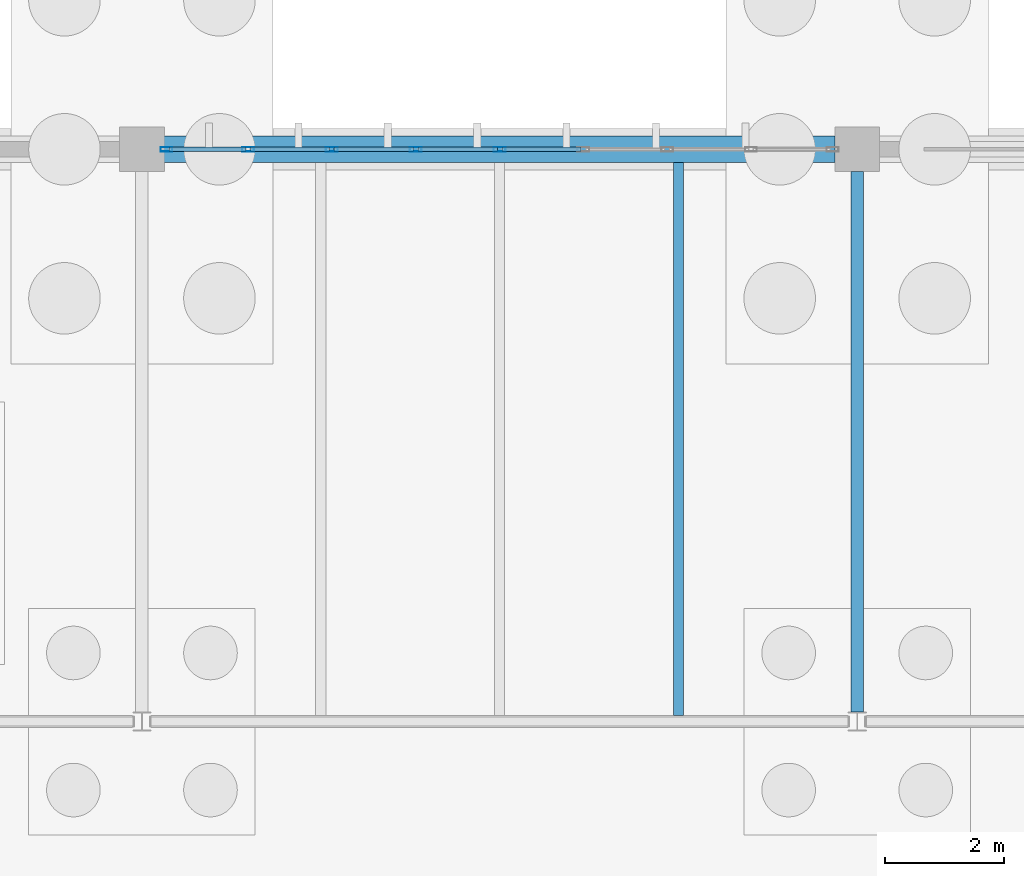
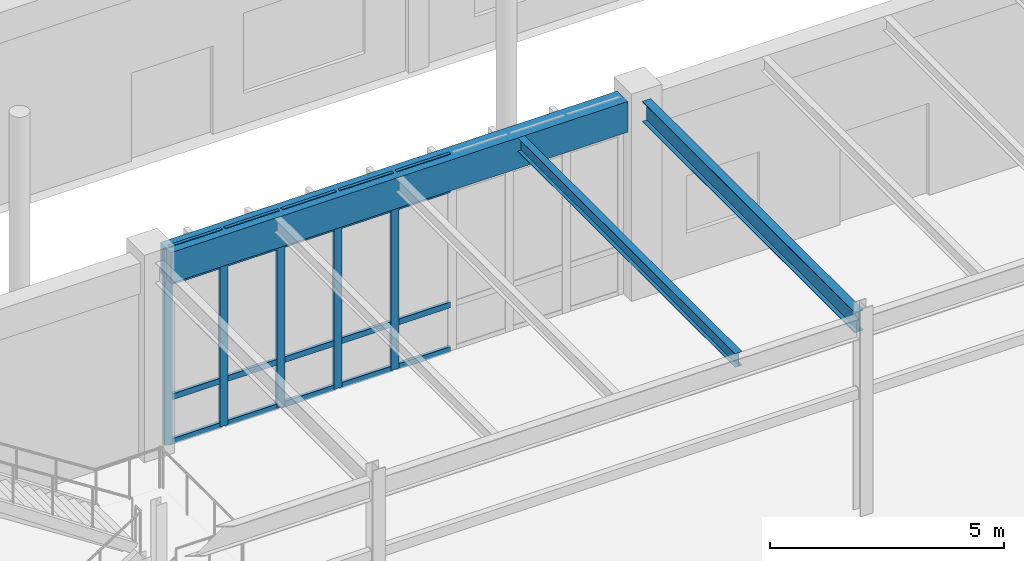
# One storey, part 79 of 188: 25 members, 3 beams, 1 element without a shape of its own.
"""IFC4 building model written with IfcOpenShell, lengths in metres."""

import ifcopenshell
import ifcopenshell.guid

model = None  # the IFC model being written
_history = None  # IfcOwnerHistory: only IFC2X3 demands one
_inside = {}  # id of a spatial element -> (the spatial element, [elements in it])
_under = {}  # id of a project, library or spatial element -> (it, [spatial elements below it])
_declared = {}  # id of a project -> (the project, [libraries it declares])
_typed = {}  # id of a type object -> (the type object, [elements of that type])
_made_of = {}  # id of a material, layer set ... -> (it, [elements and type objects made of it])


def new_model(schema):
    """Start an empty IFC model of exactly this schema.

    Asked for "IFC4X3", IfcOpenShell would pick the latest addendum, in which some entities
    have other attributes; the version numbers below select the first issue.
    IFC2X3 requires an IfcOwnerHistory on every rooted entity: one is made here for all.
    """
    global model, _history
    if schema == "IFC4X3":
        model = ifcopenshell.file(schema_version=(4, 3, 0, 0))
    else:
        model = ifcopenshell.file(schema=schema)
    _inside.clear()
    _under.clear()
    _declared.clear()
    _typed.clear()
    _made_of.clear()
    _history = None
    if model.schema == "IFC2X3":
        org = make("IfcOrganization", Name="unknown")
        user = make(
            "IfcPersonAndOrganization",
            ThePerson=make("IfcPerson", FamilyName="unknown"),
            TheOrganization=org,
        )
        app = make(
            "IfcApplication",
            ApplicationDeveloper=org,
            Version="unknown",
            ApplicationFullName="unknown",
            ApplicationIdentifier="unknown",
        )
        _history = make(
            "IfcOwnerHistory",
            OwningUser=user,
            OwningApplication=app,
            ChangeAction="ADDED",
            CreationDate=0,
        )
    return model


def make(cls, **values):
    """One entity of the class cls with the attributes given. An attribute that is None is left unset."""
    return model.create_entity(
        cls, **{name: value for name, value in values.items() if value is not None}
    )


def rooted(cls, **values):
    """An entity with a GlobalId (a new one), such as an element, a storey or a relation."""
    return make(cls, GlobalId=ifcopenshell.guid.new(), OwnerHistory=_history, **values)


def si_unit(unit_type, name, prefix=None):
    """IfcSIUnit, for example si_unit("LENGTHUNIT", "METRE", prefix="MILLI")."""
    return make("IfcSIUnit", UnitType=unit_type, Prefix=prefix, Name=name)


def assignment(units):
    """IfcUnitAssignment: the units of a project."""
    return None if units is None else make("IfcUnitAssignment", Units=units)


def point(xyz):
    """IfcCartesianPoint."""
    return None if xyz is None else make("IfcCartesianPoint", Coordinates=xyz)


def direction(xyz):
    """IfcDirection."""
    return None if xyz is None else make("IfcDirection", DirectionRatios=xyz)


def frame(location, z_axis=None, x_axis=None):
    """IfcAxis2Placement3D, a coordinate frame: its origin and axes. An axis left out is left unset."""
    return make(
        "IfcAxis2Placement3D",
        Location=point(location),
        Axis=direction(z_axis),
        RefDirection=direction(x_axis),
    )


def frame_2d(location, x_axis=None):
    """IfcAxis2Placement2D, a coordinate frame in the plane: its origin and x axis."""
    return make(
        "IfcAxis2Placement2D", Location=point(location), RefDirection=direction(x_axis)
    )


def origin():
    """The frame at (0, 0, 0) with its axes left unset."""
    return frame((0.0, 0.0, 0.0))


def origin_2d():
    """The frame at (0, 0) in the plane with its x axis left unset."""
    return frame_2d((0.0, 0.0))


def place(relative_to, where):
    """IfcLocalPlacement: puts the frame where relative to a parent placement (None: the world)."""
    return make(
        "IfcLocalPlacement", PlacementRelTo=relative_to, RelativePlacement=where
    )


def context(
    kind, dimensions, precision=None, world=None, true_north=None, identifier=None
):
    """IfcGeometricRepresentationContext, for example the 3D "Model" context."""
    return make(
        "IfcGeometricRepresentationContext",
        ContextIdentifier=identifier,
        ContextType=kind,
        CoordinateSpaceDimension=dimensions,
        Precision=precision,
        WorldCoordinateSystem=world,
        TrueNorth=true_north,
    )


def subcontext(parent, identifier, kind, view, scale=None):
    """IfcGeometricRepresentationSubContext, for example "Body" below "Model"."""
    return make(
        "IfcGeometricRepresentationSubContext",
        ContextIdentifier=identifier,
        ContextType=kind,
        ParentContext=parent,
        TargetScale=scale,
        TargetView=view,
    )


def project(units=None, contexts=None):
    """IfcProject with its units and contexts."""
    return rooted(
        "IfcProject",
        Name="project",
        RepresentationContexts=contexts,
        UnitsInContext=assignment(units),
    )


def spatial(cls, under=None, at=None, **own):
    """A site, building, storey or space (cls), placed at a placement, below another one or the project."""
    s = rooted(cls, ObjectPlacement=at, **own)
    if under is not None:
        _under.setdefault(under.id(), (under, []))[1].append(s)
    return s


def profile(cls, at=None, kind="AREA", **sizes):
    """A parametric profile (cls). Its sizes go by their IFC names, for example OverallWidth=200.0."""
    return make(cls, ProfileType=kind, Position=at, **sizes)


def rectangle(**sizes):
    """IfcRectangleProfileDef."""
    return profile("IfcRectangleProfileDef", **sizes)


def hollow_rectangle(**sizes):
    """IfcRectangleHollowProfileDef."""
    return profile("IfcRectangleHollowProfileDef", **sizes)


def i_section(**sizes):
    """IfcIShapeProfileDef."""
    return profile("IfcIShapeProfileDef", **sizes)


def extrude(swept, where, along, depth):
    """IfcExtrudedAreaSolid: the profile swept, set in the frame where, extruded along a direction by depth."""
    return make(
        "IfcExtrudedAreaSolid",
        SweptArea=swept,
        Position=where,
        ExtrudedDirection=direction(along),
        Depth=depth,
    )


def shape(context_of_items, identifier, shape_type, items):
    """IfcShapeRepresentation: the items that make up one representation, for example the "Body"."""
    return make(
        "IfcShapeRepresentation",
        ContextOfItems=context_of_items,
        RepresentationIdentifier=identifier,
        RepresentationType=shape_type,
        Items=items,
    )


def material(Name=None, Category=None):
    """IfcMaterial."""
    return make("IfcMaterial", Name=Name, Category=Category)


def layer(
    of_material, thickness, ventilated=None, Name=None, Category=None, Priority=None
):
    """IfcMaterialLayer: one layer of a wall or slab, of a material (None: an air gap)."""
    return make(
        "IfcMaterialLayer",
        Material=of_material,
        LayerThickness=thickness,
        IsVentilated=ventilated,
        Name=Name,
        Category=Category,
        Priority=Priority,
    )


def layer_set(layers, Name=None):
    """IfcMaterialLayerSet."""
    return make("IfcMaterialLayerSet", MaterialLayers=layers, LayerSetName=Name)


def material_profile(
    of_material, cross_section, Name=None, Category=None, Priority=None
):
    """IfcMaterialProfile: a cross section and its material."""
    return make(
        "IfcMaterialProfile",
        Name=Name,
        Material=of_material,
        Profile=cross_section,
        Priority=Priority,
        Category=Category,
    )


def profile_set(profiles, Name=None, composite=None):
    """IfcMaterialProfileSet."""
    return make(
        "IfcMaterialProfileSet",
        Name=Name,
        MaterialProfiles=profiles,
        CompositeProfile=composite,
    )


def made_of(thing, what):
    """Note that an element or type object is made of a material, layer set ...; save() writes the relation."""
    if what is not None:
        _made_of.setdefault(what.id(), (what, []))[1].append(thing)
    return thing


def type_object(cls, material=None, **own):
    """A type object (cls), such as IfcWallType, which elements share."""
    return made_of(rooted(cls, **own), material)


def element(
    cls,
    number,
    at=None,
    inside=None,
    cuts=None,
    type_object=None,
    material=None,
    context=None,
    identifier="Body",
    shape_type=None,
    held_by="IfcProductDefinitionShape",
    body=None,
    shapes=None,
    **own,
):
    """One element of the class cls, such as IfcWall. Its Tag is "e" and its number.

    at: its placement. inside: the storey or other place that contains it. cuts: it is an
    opening in that element (IfcRelVoidsElement). A single representation is given by context,
    identifier, shape_type and body (its items); several are given by shapes. held_by: the class
    of the entity that holds the representations. save() writes the other relations.
    """
    e = rooted(cls, Tag="e%d" % number, ObjectPlacement=at, **own)
    if body is not None:
        shapes = [shape(context, identifier, shape_type, body)]
    if shapes is not None:
        e.Representation = make(held_by, Representations=shapes)
    if inside is not None:
        _inside.setdefault(inside.id(), (inside, []))[1].append(e)
    if cuts is not None:
        rooted(
            "IfcRelVoidsElement", RelatingBuildingElement=cuts, RelatedOpeningElement=e
        )
    if type_object is not None:
        _typed.setdefault(type_object.id(), (type_object, []))[1].append(e)
    return made_of(e, material)


def aggregate(whole, parts):
    """IfcRelAggregates: a whole, such as a stair, and the parts it consists of."""
    return rooted("IfcRelAggregates", RelatingObject=whole, RelatedObjects=parts)


def save(model, path):
    """Write the relations noted so far, then the file.

    IfcRelAggregates (storeys below a building ...), IfcRelContainedInSpatialStructure (elements
    in a storey), IfcRelDefinesByType, IfcRelAssociatesMaterial and IfcRelDeclares: one each for
    every whole, place, type object, material and project.
    """
    for whole, parts in _under.values():
        aggregate(whole, parts)
    for where, things in _inside.values():
        rooted(
            "IfcRelContainedInSpatialStructure",
            RelatedElements=things,
            RelatingStructure=where,
        )
    for kind, things in _typed.values():
        rooted("IfcRelDefinesByType", RelatedObjects=things, RelatingType=kind)
    for what, things in _made_of.values():
        rooted("IfcRelAssociatesMaterial", RelatedObjects=things, RelatingMaterial=what)
    for by, libraries in _declared.values():
        rooted("IfcRelDeclares", RelatingContext=by, RelatedDefinitions=libraries)
    model.write(path)


model = new_model("IFC4")

# Units and contexts
model_context = context("Model", 3, precision=1e-05, world=origin(), true_north=direction((0.0, 1.0)))
body_context = subcontext(model_context, "Body", "Model", "MODEL_VIEW")
ifc_project = project(units=[si_unit("LENGTHUNIT", "METRE"), si_unit("AREAUNIT", "SQUARE_METRE"), si_unit("VOLUMEUNIT", "CUBIC_METRE"), si_unit("PLANEANGLEUNIT", "RADIAN"), si_unit("MASSUNIT", "GRAM", prefix="KILO")], contexts=[model_context])

# Site, building, storey
site_placement = place(None, origin())
site = spatial("IfcSite", under=ifc_project, at=site_placement, CompositionType="ELEMENT")
building_placement = place(site_placement, origin())
building = spatial("IfcBuilding", under=site, at=building_placement, Name="Pandanus Reach Market Hall", CompositionType="ELEMENT")
storey_placement = place(building_placement, origin())
storey = spatial("IfcBuildingStorey", under=building, at=storey_placement, Name="L00", CompositionType="ELEMENT", Elevation=0.0)

# Beams
ifc_material_1 = material(Name="Concrete N40 (40 MPa)", Category="concrete")
ifc_material_profile_1 = material_profile(ifc_material_1, rectangle(XDim=0.449951171875, YDim=0.800048828125, at=origin_2d()), Name="RC450x800", Category="LoadBearing")
ifc_profile_set_1 = profile_set([ifc_material_profile_1], Name="Concrete N40 (40 MPa)")
beam_type_1 = type_object("IfcBeamType", Name="BM-RC450-E", PredefinedType="SPANDREL", material=ifc_profile_set_1)
beam_1_placement = place(storey_placement, frame((96.373046875, 86.39990234375, 4.719970703125), z_axis=(1.0, 0.0, 0.0), x_axis=(0.0, 1.0, 0.0)))
element("IfcBeam", 1, at=beam_1_placement, inside=storey, type_object=beam_type_1, Name="Framing beam BM-RC450-E L00.1063", PredefinedType="SPANDREL", context=body_context, shape_type="SweptSolid", body=[
    extrude(rectangle(XDim=0.449951171875, YDim=0.800048828125, at=origin_2d()), origin(), (0.0, 0.0, 1.0), 11.25390625),
])
ifc_material_2 = material(Name="Steel Grade 350 (350 MPa)", Category="steel")
ifc_material_profile_2 = material_profile(ifc_material_2, i_section(OverallWidth=0.208984375, OverallDepth=0.532958984375, WebThickness=0.01025390625, FlangeThickness=0.015625, at=origin_2d()), Name="530UB92.4", Category="LoadBearing")
ifc_profile_set_2 = profile_set([ifc_material_profile_2], Name="Steel Grade 350 (350 MPa)")
beam_type_2 = type_object("IfcBeamType", Name="BM-UB530-I", PredefinedType="BEAM", material=ifc_profile_set_2)
beam_2_placement = place(storey_placement, frame((108.0, 76.95556640625, 4.85302734375), z_axis=(0.0, 1.0, 0.0), x_axis=(-1.0, 0.0, 0.0)))
element("IfcBeam", 2, at=beam_2_placement, inside=storey, type_object=beam_type_2, Name="Framing beam BM-UB530-I L00.1077", PredefinedType="BEAM", context=body_context, shape_type="SweptSolid", body=[
    extrude(i_section(OverallWidth=0.208984375, OverallDepth=0.532958984375, WebThickness=0.01025390625, FlangeThickness=0.015625, at=origin_2d()), origin(), (0.0, 0.0, 1.0), 9.071533203125),
])

# Curtain wall, members
ifc_material_3 = material(Name="Bronze anodised aluminium and low-E glass", Category="aluminium")
ifc_layer = layer(ifc_material_3, 0.199951171875, Name="CW-01")
ifc_layer_set = layer_set([ifc_layer], Name="Bronze anodised aluminium and low-E glass")
curtain_wall_type = type_object("IfcCurtainWallType", Name="CW-01", PredefinedType="NOTDEFINED", material=ifc_layer_set)
curtain_wall_placement = place(storey_placement, origin())
curtain_wall = element("IfcCurtainWall", 3, at=curtain_wall_placement, inside=storey, type_object=curtain_wall_type, Name="Glazed curtain wall CW-01 CW-0014", PredefinedType="NOTDEFINED")
ifc_material_4 = material(Name="Bronze anodised aluminium", Category="aluminium")
ifc_material_profile_3 = material_profile(ifc_material_4, hollow_rectangle(XDim=0.074951171875, YDim=0.199951171875, WallThickness=0.00439453125, at=origin_2d()), Name="ALU75x200", Category="LoadBearing")
ifc_profile_set_3 = profile_set([ifc_material_profile_3], Name="Bronze anodised aluminium")
member_type_1 = type_object("IfcMemberType", Name="CW-M2", PredefinedType="MULLION", material=ifc_profile_set_3)
member_1_placement = place(storey_placement, frame((96.41259765625, 86.39990234375, 0.0), z_axis=(0.0, 0.0, 1.0), x_axis=(0.0, 1.0, 0.0)))
member_1 = element("IfcMember", 4, at=member_1_placement, type_object=member_type_1, Name="CW-01 mullion 1", PredefinedType="MULLION", context=body_context, shape_type="SweptSolid", body=[
    extrude(hollow_rectangle(XDim=0.074951171875, YDim=0.199951171875, WallThickness=0.00439453125, at=origin_2d()), origin(), (0.0, 0.0, 1.0), 5.10009765625),
])
member_2_placement = place(storey_placement, frame((97.78125, 86.39990234375, 0.0), z_axis=(0.0, 0.0, 1.0), x_axis=(0.0, 1.0, 0.0)))
member_2 = element("IfcMember", 5, at=member_2_placement, type_object=member_type_1, Name="CW-01 mullion 2", PredefinedType="MULLION", context=body_context, shape_type="SweptSolid", body=[
    extrude(hollow_rectangle(XDim=0.074951171875, YDim=0.199951171875, WallThickness=0.00439453125, at=origin_2d()), origin(), (0.0, 0.0, 1.0), 5.10009765625),
])
member_3_placement = place(storey_placement, frame((99.1875, 86.39990234375, 0.0), z_axis=(0.0, 0.0, 1.0), x_axis=(0.0, 1.0, 0.0)))
member_3 = element("IfcMember", 6, at=member_3_placement, type_object=member_type_1, Name="CW-01 mullion 3", PredefinedType="MULLION", context=body_context, shape_type="SweptSolid", body=[
    extrude(hollow_rectangle(XDim=0.074951171875, YDim=0.199951171875, WallThickness=0.00439453125, at=origin_2d()), origin(), (0.0, 0.0, 1.0), 5.10009765625),
])
member_4_placement = place(storey_placement, frame((100.59375, 86.39990234375, 0.0), z_axis=(0.0, 0.0, 1.0), x_axis=(0.0, 1.0, 0.0)))
member_4 = element("IfcMember", 7, at=member_4_placement, type_object=member_type_1, Name="CW-01 mullion 4", PredefinedType="MULLION", context=body_context, shape_type="SweptSolid", body=[
    extrude(hollow_rectangle(XDim=0.074951171875, YDim=0.199951171875, WallThickness=0.00439453125, at=origin_2d()), origin(), (0.0, 0.0, 1.0), 5.10009765625),
])
member_5_placement = place(storey_placement, frame((102.0, 86.39990234375, 0.0), z_axis=(0.0, 0.0, 1.0), x_axis=(0.0, 1.0, 0.0)))
member_5 = element("IfcMember", 8, at=member_5_placement, type_object=member_type_1, Name="CW-01 mullion 5", PredefinedType="MULLION", context=body_context, shape_type="SweptSolid", body=[
    extrude(hollow_rectangle(XDim=0.074951171875, YDim=0.199951171875, WallThickness=0.00439453125, at=origin_2d()), origin(), (0.0, 0.0, 1.0), 5.10009765625),
])
ifc_material_profile_4 = material_profile(ifc_material_4, hollow_rectangle(XDim=0.074951171875, YDim=0.14990234375, WallThickness=0.00439453125, at=origin_2d()), Name="ALU75x150", Category="LoadBearing")
ifc_profile_set_4 = profile_set([ifc_material_profile_4], Name="Bronze anodised aluminium")
member_type_2 = type_object("IfcMemberType", Name="CW-T2", PredefinedType="USERDEFINED", material=ifc_profile_set_4)
member_6_placement = place(storey_placement, frame((96.449951171875, 86.39990234375, 0.03759765625), z_axis=(1.0, 0.0, 0.0), x_axis=(0.0, 1.0, 0.0)))
member_6 = element("IfcMember", 9, at=member_6_placement, type_object=member_type_2, Name="CW-01 transom 1.1", ObjectType="TRANSOM", PredefinedType="USERDEFINED", context=body_context, shape_type="SweptSolid", body=[
    extrude(hollow_rectangle(XDim=0.074951171875, YDim=0.14990234375, WallThickness=0.00439453125, at=origin_2d()), origin(), (0.0, 0.0, 1.0), 1.293701171875),
])
member_7_placement = place(storey_placement, frame((96.449951171875, 86.39990234375, 1.199951171875), z_axis=(1.0, 0.0, 0.0), x_axis=(0.0, 1.0, 0.0)))
member_7 = element("IfcMember", 10, at=member_7_placement, type_object=member_type_2, Name="CW-01 transom 1.2", ObjectType="TRANSOM", PredefinedType="USERDEFINED", context=body_context, shape_type="SweptSolid", body=[
    extrude(hollow_rectangle(XDim=0.074951171875, YDim=0.14990234375, WallThickness=0.00439453125, at=origin_2d()), origin(), (0.0, 0.0, 1.0), 1.293701171875),
])
member_8_placement = place(storey_placement, frame((96.449951171875, 86.39990234375, 4.199951171875), z_axis=(1.0, 0.0, 0.0), x_axis=(0.0, 1.0, 0.0)))
member_8 = element("IfcMember", 11, at=member_8_placement, type_object=member_type_2, Name="CW-01 transom 1.3", ObjectType="TRANSOM", PredefinedType="USERDEFINED", context=body_context, shape_type="SweptSolid", body=[
    extrude(hollow_rectangle(XDim=0.074951171875, YDim=0.14990234375, WallThickness=0.00439453125, at=origin_2d()), origin(), (0.0, 0.0, 1.0), 1.293701171875),
])
member_9_placement = place(storey_placement, frame((96.449951171875, 86.39990234375, 5.0625), z_axis=(1.0, 0.0, 0.0), x_axis=(0.0, 1.0, 0.0)))
member_9 = element("IfcMember", 12, at=member_9_placement, type_object=member_type_2, Name="CW-01 transom 1.4", ObjectType="TRANSOM", PredefinedType="USERDEFINED", context=body_context, shape_type="SweptSolid", body=[
    extrude(hollow_rectangle(XDim=0.074951171875, YDim=0.14990234375, WallThickness=0.00439453125, at=origin_2d()), origin(), (0.0, 0.0, 1.0), 1.293701171875),
])
member_10_placement = place(storey_placement, frame((97.81884765625, 86.39990234375, 0.03759765625), z_axis=(1.0, 0.0, 0.0), x_axis=(0.0, 1.0, 0.0)))
member_10 = element("IfcMember", 13, at=member_10_placement, type_object=member_type_2, Name="CW-01 transom 2.1", ObjectType="TRANSOM", PredefinedType="USERDEFINED", context=body_context, shape_type="SweptSolid", body=[
    extrude(hollow_rectangle(XDim=0.074951171875, YDim=0.14990234375, WallThickness=0.00439453125, at=origin_2d()), origin(), (0.0, 0.0, 1.0), 1.3310546875),
])
member_11_placement = place(storey_placement, frame((97.81884765625, 86.39990234375, 1.199951171875), z_axis=(1.0, 0.0, 0.0), x_axis=(0.0, 1.0, 0.0)))
member_11 = element("IfcMember", 14, at=member_11_placement, type_object=member_type_2, Name="CW-01 transom 2.2", ObjectType="TRANSOM", PredefinedType="USERDEFINED", context=body_context, shape_type="SweptSolid", body=[
    extrude(hollow_rectangle(XDim=0.074951171875, YDim=0.14990234375, WallThickness=0.00439453125, at=origin_2d()), origin(), (0.0, 0.0, 1.0), 1.3310546875),
])
member_12_placement = place(storey_placement, frame((97.81884765625, 86.39990234375, 4.199951171875), z_axis=(1.0, 0.0, 0.0), x_axis=(0.0, 1.0, 0.0)))
member_12 = element("IfcMember", 15, at=member_12_placement, type_object=member_type_2, Name="CW-01 transom 2.3", ObjectType="TRANSOM", PredefinedType="USERDEFINED", context=body_context, shape_type="SweptSolid", body=[
    extrude(hollow_rectangle(XDim=0.074951171875, YDim=0.14990234375, WallThickness=0.00439453125, at=origin_2d()), origin(), (0.0, 0.0, 1.0), 1.3310546875),
])
member_13_placement = place(storey_placement, frame((97.81884765625, 86.39990234375, 5.0625), z_axis=(1.0, 0.0, 0.0), x_axis=(0.0, 1.0, 0.0)))
member_13 = element("IfcMember", 16, at=member_13_placement, type_object=member_type_2, Name="CW-01 transom 2.4", ObjectType="TRANSOM", PredefinedType="USERDEFINED", context=body_context, shape_type="SweptSolid", body=[
    extrude(hollow_rectangle(XDim=0.074951171875, YDim=0.14990234375, WallThickness=0.00439453125, at=origin_2d()), origin(), (0.0, 0.0, 1.0), 1.3310546875),
])
member_14_placement = place(storey_placement, frame((99.22509765625, 86.39990234375, 0.03759765625), z_axis=(1.0, 0.0, 0.0), x_axis=(0.0, 1.0, 0.0)))
member_14 = element("IfcMember", 17, at=member_14_placement, type_object=member_type_2, Name="CW-01 transom 3.1", ObjectType="TRANSOM", PredefinedType="USERDEFINED", context=body_context, shape_type="SweptSolid", body=[
    extrude(hollow_rectangle(XDim=0.074951171875, YDim=0.14990234375, WallThickness=0.00439453125, at=origin_2d()), origin(), (0.0, 0.0, 1.0), 1.3310546875),
])
member_15_placement = place(storey_placement, frame((99.22509765625, 86.39990234375, 1.199951171875), z_axis=(1.0, 0.0, 0.0), x_axis=(0.0, 1.0, 0.0)))
member_15 = element("IfcMember", 18, at=member_15_placement, type_object=member_type_2, Name="CW-01 transom 3.2", ObjectType="TRANSOM", PredefinedType="USERDEFINED", context=body_context, shape_type="SweptSolid", body=[
    extrude(hollow_rectangle(XDim=0.074951171875, YDim=0.14990234375, WallThickness=0.00439453125, at=origin_2d()), origin(), (0.0, 0.0, 1.0), 1.3310546875),
])
member_16_placement = place(storey_placement, frame((99.22509765625, 86.39990234375, 4.199951171875), z_axis=(1.0, 0.0, 0.0), x_axis=(0.0, 1.0, 0.0)))
member_16 = element("IfcMember", 19, at=member_16_placement, type_object=member_type_2, Name="CW-01 transom 3.3", ObjectType="TRANSOM", PredefinedType="USERDEFINED", context=body_context, shape_type="SweptSolid", body=[
    extrude(hollow_rectangle(XDim=0.074951171875, YDim=0.14990234375, WallThickness=0.00439453125, at=origin_2d()), origin(), (0.0, 0.0, 1.0), 1.3310546875),
])
member_17_placement = place(storey_placement, frame((99.22509765625, 86.39990234375, 5.0625), z_axis=(1.0, 0.0, 0.0), x_axis=(0.0, 1.0, 0.0)))
member_17 = element("IfcMember", 20, at=member_17_placement, type_object=member_type_2, Name="CW-01 transom 3.4", ObjectType="TRANSOM", PredefinedType="USERDEFINED", context=body_context, shape_type="SweptSolid", body=[
    extrude(hollow_rectangle(XDim=0.074951171875, YDim=0.14990234375, WallThickness=0.00439453125, at=origin_2d()), origin(), (0.0, 0.0, 1.0), 1.3310546875),
])
member_18_placement = place(storey_placement, frame((100.63134765625, 86.39990234375, 0.03759765625), z_axis=(1.0, 0.0, 0.0), x_axis=(0.0, 1.0, 0.0)))
member_18 = element("IfcMember", 21, at=member_18_placement, type_object=member_type_2, Name="CW-01 transom 4.1", ObjectType="TRANSOM", PredefinedType="USERDEFINED", context=body_context, shape_type="SweptSolid", body=[
    extrude(hollow_rectangle(XDim=0.074951171875, YDim=0.14990234375, WallThickness=0.00439453125, at=origin_2d()), origin(), (0.0, 0.0, 1.0), 1.3310546875),
])
member_19_placement = place(storey_placement, frame((100.63134765625, 86.39990234375, 1.199951171875), z_axis=(1.0, 0.0, 0.0), x_axis=(0.0, 1.0, 0.0)))
member_19 = element("IfcMember", 22, at=member_19_placement, type_object=member_type_2, Name="CW-01 transom 4.2", ObjectType="TRANSOM", PredefinedType="USERDEFINED", context=body_context, shape_type="SweptSolid", body=[
    extrude(hollow_rectangle(XDim=0.074951171875, YDim=0.14990234375, WallThickness=0.00439453125, at=origin_2d()), origin(), (0.0, 0.0, 1.0), 1.3310546875),
])
member_20_placement = place(storey_placement, frame((100.63134765625, 86.39990234375, 4.199951171875), z_axis=(1.0, 0.0, 0.0), x_axis=(0.0, 1.0, 0.0)))
member_20 = element("IfcMember", 23, at=member_20_placement, type_object=member_type_2, Name="CW-01 transom 4.3", ObjectType="TRANSOM", PredefinedType="USERDEFINED", context=body_context, shape_type="SweptSolid", body=[
    extrude(hollow_rectangle(XDim=0.074951171875, YDim=0.14990234375, WallThickness=0.00439453125, at=origin_2d()), origin(), (0.0, 0.0, 1.0), 1.3310546875),
])
member_21_placement = place(storey_placement, frame((100.63134765625, 86.39990234375, 5.0625), z_axis=(1.0, 0.0, 0.0), x_axis=(0.0, 1.0, 0.0)))
member_21 = element("IfcMember", 24, at=member_21_placement, type_object=member_type_2, Name="CW-01 transom 4.4", ObjectType="TRANSOM", PredefinedType="USERDEFINED", context=body_context, shape_type="SweptSolid", body=[
    extrude(hollow_rectangle(XDim=0.074951171875, YDim=0.14990234375, WallThickness=0.00439453125, at=origin_2d()), origin(), (0.0, 0.0, 1.0), 1.3310546875),
])
member_22_placement = place(storey_placement, frame((102.03759765625, 86.39990234375, 0.03759765625), z_axis=(1.0, 0.0, 0.0), x_axis=(0.0, 1.0, 0.0)))
member_22 = element("IfcMember", 25, at=member_22_placement, type_object=member_type_2, Name="CW-01 transom 5.1", ObjectType="TRANSOM", PredefinedType="USERDEFINED", context=body_context, shape_type="SweptSolid", body=[
    extrude(hollow_rectangle(XDim=0.074951171875, YDim=0.14990234375, WallThickness=0.00439453125, at=origin_2d()), origin(), (0.0, 0.0, 1.0), 1.3310546875),
])
member_23_placement = place(storey_placement, frame((102.03759765625, 86.39990234375, 1.199951171875), z_axis=(1.0, 0.0, 0.0), x_axis=(0.0, 1.0, 0.0)))
member_23 = element("IfcMember", 26, at=member_23_placement, type_object=member_type_2, Name="CW-01 transom 5.2", ObjectType="TRANSOM", PredefinedType="USERDEFINED", context=body_context, shape_type="SweptSolid", body=[
    extrude(hollow_rectangle(XDim=0.074951171875, YDim=0.14990234375, WallThickness=0.00439453125, at=origin_2d()), origin(), (0.0, 0.0, 1.0), 1.3310546875),
])
member_24_placement = place(storey_placement, frame((102.03759765625, 86.39990234375, 4.199951171875), z_axis=(1.0, 0.0, 0.0), x_axis=(0.0, 1.0, 0.0)))
member_24 = element("IfcMember", 27, at=member_24_placement, type_object=member_type_2, Name="CW-01 transom 5.3", ObjectType="TRANSOM", PredefinedType="USERDEFINED", context=body_context, shape_type="SweptSolid", body=[
    extrude(hollow_rectangle(XDim=0.074951171875, YDim=0.14990234375, WallThickness=0.00439453125, at=origin_2d()), origin(), (0.0, 0.0, 1.0), 1.3310546875),
])
member_25_placement = place(storey_placement, frame((102.03759765625, 86.39990234375, 5.0625), z_axis=(1.0, 0.0, 0.0), x_axis=(0.0, 1.0, 0.0)))
member_25 = element("IfcMember", 28, at=member_25_placement, type_object=member_type_2, Name="CW-01 transom 5.4", ObjectType="TRANSOM", PredefinedType="USERDEFINED", context=body_context, shape_type="SweptSolid", body=[
    extrude(hollow_rectangle(XDim=0.074951171875, YDim=0.14990234375, WallThickness=0.00439453125, at=origin_2d()), origin(), (0.0, 0.0, 1.0), 1.3310546875),
])
aggregate(curtain_wall, [member_1, member_2, member_3, member_4, member_5, member_6, member_7, member_8, member_9, member_10, member_11, member_12, member_13, member_14, member_15, member_16, member_17, member_18, member_19, member_20, member_21, member_22, member_23, member_24, member_25])

# Beam
ifc_material_profile_5 = material_profile(ifc_material_2, i_section(OverallWidth=0.1708984375, OverallDepth=0.35595703125, WebThickness=0.00732421875, FlangeThickness=0.011474609375, at=origin_2d()), Name="360UB50.7", Category="LoadBearing")
ifc_profile_set_5 = profile_set([ifc_material_profile_5], Name="Steel Grade 350 (350 MPa)")
beam_type_3 = type_object("IfcBeamType", Name="JS-UB360-I", PredefinedType="JOIST", material=ifc_profile_set_5)
beam_3_placement = place(storey_placement, frame((105.0, 76.902587890625, 4.941650390625), z_axis=(0.0, 1.0, 0.0), x_axis=(-1.0, 0.0, 0.0)))
element("IfcBeam", 29, at=beam_3_placement, inside=storey, type_object=beam_type_3, Name="Secondary joist JS-UB360-I L00.1128", PredefinedType="JOIST", context=body_context, shape_type="SweptSolid", body=[
    extrude(i_section(OverallWidth=0.1708984375, OverallDepth=0.35595703125, WebThickness=0.00732421875, FlangeThickness=0.011474609375, at=origin_2d()), origin(), (0.0, 0.0, 1.0), 9.2744140625),
])

save(model, "model.ifc")
